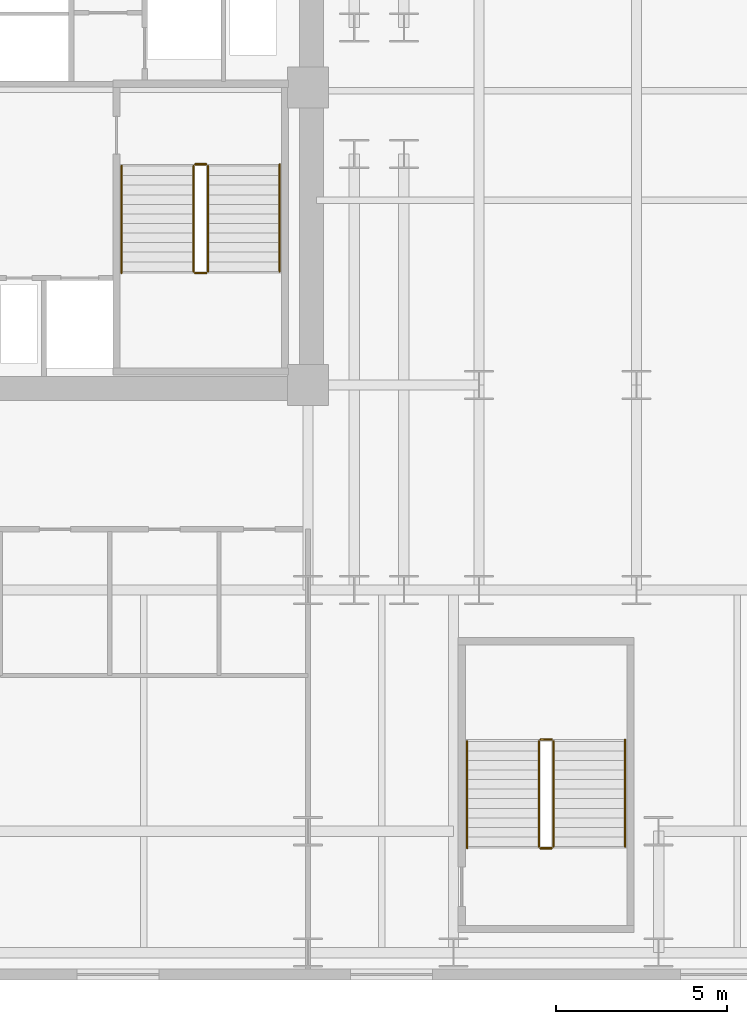
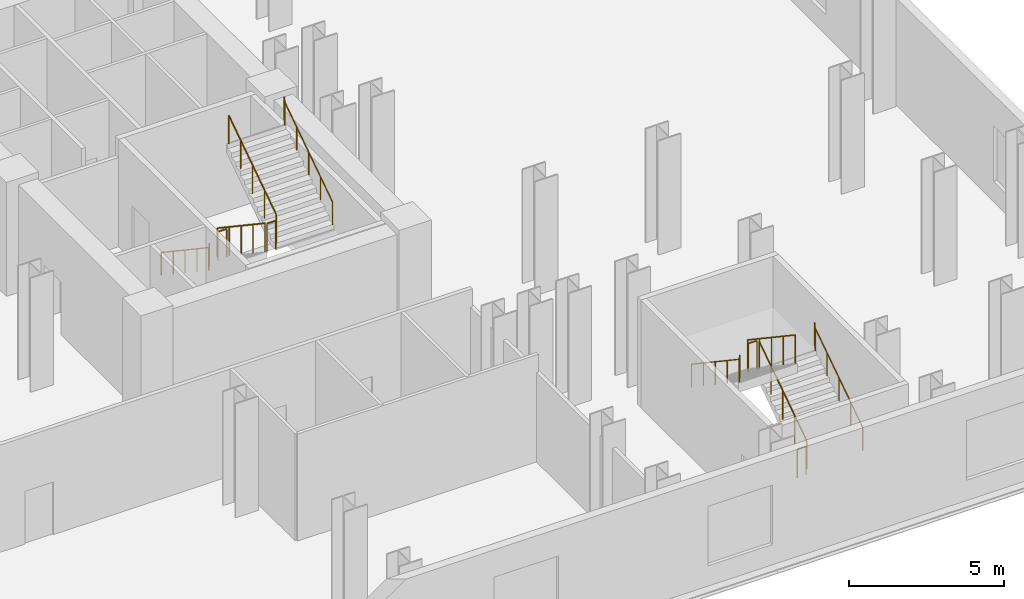
# One storey, part 13 of 13: 12 railings.
"""IFC4 building model written with IfcOpenShell, lengths in metres."""

from ifc_helpers import new_model, si_unit, direction, frame, origin, origin_2d, place, context, subcontext, project, spatial, circle, extrude, material, type_object, element, save


model = new_model("IFC4")

# Units and contexts
model_context = context("Model", 3, precision=1e-05, world=origin(), true_north=direction((0.0, 1.0)))
body_context = subcontext(model_context, "Body", "Model", "MODEL_VIEW")
ifc_project = project(units=[si_unit("LENGTHUNIT", "METRE"), si_unit("AREAUNIT", "SQUARE_METRE"), si_unit("VOLUMEUNIT", "CUBIC_METRE"), si_unit("PLANEANGLEUNIT", "RADIAN"), si_unit("MASSUNIT", "GRAM", prefix="KILO")], contexts=[model_context])

# Site, building, storey
site_placement = place(None, origin())
site = spatial("IfcSite", under=ifc_project, at=site_placement, CompositionType="ELEMENT")
building_placement = place(site_placement, origin())
building = spatial("IfcBuilding", under=site, at=building_placement, Name="Velakula Bourse", CompositionType="ELEMENT")
storey_placement = place(building_placement, frame((0.0, 0.0, 9.60009765625)))
storey = spatial("IfcBuildingStorey", under=building, at=storey_placement, Name="L02", CompositionType="ELEMENT", Elevation=9.60009765625)

# Railings
ifc_material = material(Name="Brushed grade 316 stainless steel", Category="steel")
railing_type_1 = type_object("IfcRailingType", Name="RLG-STAIR-GUARD-1150", PredefinedType="BALUSTRADE", material=ifc_material)
railing_1_placement = place(storey_placement, frame((15.248046875, -2.199951171875, 0.1875)))
element("IfcRailing", 1, at=railing_1_placement, inside=storey, type_object=railing_type_1, Name="L02 ST-E1 stair guard 1", PredefinedType="BALUSTRADE", context=body_context, shape_type="SweptSolid", body=[
    extrude(circle(Radius=0.02490234375, at=origin_2d()), frame((0.0, 0.0, 1.125), z_axis=(0.0, -0.830913701846, 0.55640131208), x_axis=(1.0, 0.0, 0.0)), (0.0, 0.0, 1.0), 3.706787109375),
    extrude(circle(Radius=0.02099609375, at=origin_2d()), origin(), (0.0, 0.0, 1.0), 1.099853515625),
    extrude(circle(Radius=0.02099609375, at=origin_2d()), frame((0.0, -0.77001953125, 0.515625)), (0.0, 0.0, 1.0), 1.099853515625),
    extrude(circle(Radius=0.02099609375, at=origin_2d()), frame((0.0, -1.5400390625, 1.03125)), (0.0, 0.0, 1.0), 1.099853515625),
    extrude(circle(Radius=0.02099609375, at=origin_2d()), frame((0.0, -2.31005859375, 1.546875)), (0.0, 0.0, 1.0), 1.099853515625),
    extrude(circle(Radius=0.02099609375, at=origin_2d()), frame((0.0, -3.080078125, 2.0625)), (0.0, 0.0, 1.0), 1.099853515625),
])
railing_2_placement = place(storey_placement, frame((15.298095703125, -5.330078125, 2.25)))
element("IfcRailing", 2, at=railing_2_placement, inside=storey, type_object=railing_type_1, Name="L02 ST-E1 stair guard 2", PredefinedType="BALUSTRADE", context=body_context, shape_type="SweptSolid", body=[
    extrude(circle(Radius=0.02490234375, at=origin_2d()), frame((0.0, 0.0, 1.125), z_axis=(1.0, 0.0, 0.0), x_axis=(0.0, 1.0, 0.0)), (0.0, 0.0, 1.0), 0.323974609375),
    extrude(circle(Radius=0.02099609375, at=origin_2d()), origin(), (0.0, 0.0, 1.0), 1.099853515625),
    extrude(circle(Radius=0.02099609375, at=origin_2d()), frame((0.323974609375, 0.0, 0.0)), (0.0, 0.0, 1.0), 1.099853515625),
])
railing_3_placement = place(storey_placement, frame((15.672119140625, -5.280029296875, 2.4375)))
element("IfcRailing", 3, at=railing_3_placement, inside=storey, type_object=railing_type_1, Name="L02 ST-E1 stair guard 3", PredefinedType="BALUSTRADE", context=body_context, shape_type="SweptSolid", body=[
    extrude(circle(Radius=0.02490234375, at=origin_2d()), frame((0.0, 0.0, 1.125), z_axis=(0.0, 0.830913701846, 0.55640131208), x_axis=(-1.0, 0.0, 0.0)), (0.0, 0.0, 1.0), 3.706787109375),
    extrude(circle(Radius=0.02099609375, at=origin_2d()), origin(), (0.0, 0.0, 1.0), 1.099853515625),
    extrude(circle(Radius=0.02099609375, at=origin_2d()), frame((0.0, 0.77001953125, 0.515625)), (0.0, 0.0, 1.0), 1.099853515625),
    extrude(circle(Radius=0.02099609375, at=origin_2d()), frame((0.0, 1.5400390625, 1.03125)), (0.0, 0.0, 1.0), 1.099853515625),
    extrude(circle(Radius=0.02099609375, at=origin_2d()), frame((0.0, 2.31005859375, 1.546875)), (0.0, 0.0, 1.0), 1.099853515625),
    extrude(circle(Radius=0.02099609375, at=origin_2d()), frame((0.0, 3.080078125, 2.0625)), (0.0, 0.0, 1.0), 1.099853515625),
])
railing_4_placement = place(storey_placement, frame((15.298095703125, -2.14990234375, 0.0)))
element("IfcRailing", 4, at=railing_4_placement, inside=storey, type_object=railing_type_1, Name="L02 ST-E1 stair guard 4", PredefinedType="BALUSTRADE", context=body_context, shape_type="SweptSolid", body=[
    extrude(circle(Radius=0.02490234375, at=origin_2d()), frame((0.0, 0.0, 1.125), z_axis=(1.0, 0.0, 0.0), x_axis=(0.0, 1.0, 0.0)), (0.0, 0.0, 1.0), 0.323974609375),
    extrude(circle(Radius=0.02099609375, at=origin_2d()), origin(), (0.0, 0.0, 1.0), 1.099853515625),
    extrude(circle(Radius=0.02099609375, at=origin_2d()), frame((0.323974609375, 0.0, 0.0)), (0.0, 0.0, 1.0), 1.099853515625),
])
railing_5_placement = place(storey_placement, frame((25.77197265625, -22.10009765625, 0.1875)))
element("IfcRailing", 5, at=railing_5_placement, inside=storey, type_object=railing_type_1, Name="L02 ST-P2 stair guard 1", PredefinedType="BALUSTRADE", context=body_context, shape_type="SweptSolid", body=[
    extrude(circle(Radius=0.02490234375, at=origin_2d()), frame((0.0, 0.0, 1.125), z_axis=(0.0, 0.830913701846, 0.55640131208), x_axis=(-1.0, 0.0, 0.0)), (0.0, 0.0, 1.0), 3.706787109375),
    extrude(circle(Radius=0.02099609375, at=origin_2d()), origin(), (0.0, 0.0, 1.0), 1.099853515625),
    extrude(circle(Radius=0.02099609375, at=origin_2d()), frame((0.0, 0.77001953125, 0.515625)), (0.0, 0.0, 1.0), 1.099853515625),
    extrude(circle(Radius=0.02099609375, at=origin_2d()), frame((0.0, 1.5400390625, 1.03125)), (0.0, 0.0, 1.0), 1.099853515625),
    extrude(circle(Radius=0.02099609375, at=origin_2d()), frame((0.0, 2.31005859375, 1.546875)), (0.0, 0.0, 1.0), 1.099853515625),
    extrude(circle(Radius=0.02099609375, at=origin_2d()), frame((0.0, 3.080078125, 2.0625)), (0.0, 0.0, 1.0), 1.099853515625),
])
railing_6_placement = place(storey_placement, frame((25.721923828125, -18.969970703125, 2.25)))
element("IfcRailing", 6, at=railing_6_placement, inside=storey, type_object=railing_type_1, Name="L02 ST-P2 stair guard 2", PredefinedType="BALUSTRADE", context=body_context, shape_type="SweptSolid", body=[
    extrude(circle(Radius=0.02490234375, at=origin_2d()), frame((0.0, 0.0, 1.125), z_axis=(-1.0, 0.0, 0.0), x_axis=(0.0, -1.0, 0.0)), (0.0, 0.0, 1.0), 0.323974609375),
    extrude(circle(Radius=0.02099609375, at=origin_2d()), origin(), (0.0, 0.0, 1.0), 1.099853515625),
    extrude(circle(Radius=0.02099609375, at=origin_2d()), frame((-0.323974609375, 0.0, 0.0)), (0.0, 0.0, 1.0), 1.099853515625),
])
railing_7_placement = place(storey_placement, frame((25.347900390625, -19.02001953125, 2.4375)))
element("IfcRailing", 7, at=railing_7_placement, inside=storey, type_object=railing_type_1, Name="L02 ST-P2 stair guard 3", PredefinedType="BALUSTRADE", context=body_context, shape_type="SweptSolid", body=[
    extrude(circle(Radius=0.02490234375, at=origin_2d()), frame((0.0, 0.0, 1.125), z_axis=(0.0, -0.830913701846, 0.55640131208), x_axis=(1.0, 0.0, 0.0)), (0.0, 0.0, 1.0), 3.706787109375),
    extrude(circle(Radius=0.02099609375, at=origin_2d()), origin(), (0.0, 0.0, 1.0), 1.099853515625),
    extrude(circle(Radius=0.02099609375, at=origin_2d()), frame((0.0, -0.77001953125, 0.515625)), (0.0, 0.0, 1.0), 1.099853515625),
    extrude(circle(Radius=0.02099609375, at=origin_2d()), frame((0.0, -1.5400390625, 1.03125)), (0.0, 0.0, 1.0), 1.099853515625),
    extrude(circle(Radius=0.02099609375, at=origin_2d()), frame((0.0, -2.31005859375, 1.546875)), (0.0, 0.0, 1.0), 1.099853515625),
    extrude(circle(Radius=0.02099609375, at=origin_2d()), frame((0.0, -3.080078125, 2.0625)), (0.0, 0.0, 1.0), 1.099853515625),
])
railing_8_placement = place(storey_placement, frame((25.721923828125, -22.14990234375, 0.0)))
element("IfcRailing", 8, at=railing_8_placement, inside=storey, type_object=railing_type_1, Name="L02 ST-P2 stair guard 4", PredefinedType="BALUSTRADE", context=body_context, shape_type="SweptSolid", body=[
    extrude(circle(Radius=0.02490234375, at=origin_2d()), frame((0.0, 0.0, 1.125), z_axis=(-1.0, 0.0, 0.0), x_axis=(0.0, -1.0, 0.0)), (0.0, 0.0, 1.0), 0.323974609375),
    extrude(circle(Radius=0.02099609375, at=origin_2d()), origin(), (0.0, 0.0, 1.0), 1.099853515625),
    extrude(circle(Radius=0.02099609375, at=origin_2d()), frame((-0.323974609375, 0.0, 0.0)), (0.0, 0.0, 1.0), 1.099853515625),
])
railing_type_2 = type_object("IfcRailingType", Name="RLG-STAIR-HAND-920", PredefinedType="HANDRAIL", material=ifc_material)
railing_9_placement = place(storey_placement, frame((13.14990234375, -2.199951171875, 0.1875)))
element("IfcRailing", 9, at=railing_9_placement, inside=storey, type_object=railing_type_2, Name="L02 ST-E1 stair handrail 1", PredefinedType="HANDRAIL", context=body_context, shape_type="SweptSolid", body=[
    extrude(circle(Radius=0.02099609375, at=origin_2d()), frame((0.0, 0.0, 0.89892578125), z_axis=(0.0, -0.830913701846, 0.55640131208), x_axis=(1.0, 0.0, 0.0)), (0.0, 0.0, 1.0), 3.706787109375),
    extrude(circle(Radius=0.02099609375, at=origin_2d()), frame((0.0, -3.080078125, 2.96142578125), z_axis=(0.0, -0.208833338674, 0.97795124452), x_axis=(1.0, 0.0, 0.0)), (0.0, 0.0, 1.0), 0.191650390625),
    extrude(circle(Radius=0.02099609375, at=origin_2d()), frame((0.0, -3.1201171875, 3.14892578125), z_axis=(0.0, -1.0, 0.0), x_axis=(1.0, 0.0, 0.0)), (0.0, 0.0, 1.0), 0.0048828125),
    extrude(circle(Radius=0.02099609375, at=origin_2d()), origin(), (0.0, 0.0, 1.0), 0.8779296875),
    extrude(circle(Radius=0.02099609375, at=origin_2d()), frame((0.0, -0.77001953125, 0.515625)), (0.0, 0.0, 1.0), 0.8779296875),
    extrude(circle(Radius=0.02099609375, at=origin_2d()), frame((0.0, -1.5400390625, 1.03125)), (0.0, 0.0, 1.0), 0.8779296875),
    extrude(circle(Radius=0.02099609375, at=origin_2d()), frame((0.0, -2.31005859375, 1.546875)), (0.0, 0.0, 1.0), 0.8779296875),
    extrude(circle(Radius=0.02099609375, at=origin_2d()), frame((0.0, -3.080078125, 2.0625)), (0.0, 0.0, 1.0), 0.8779296875),
    extrude(circle(Radius=0.02099609375, at=origin_2d()), frame((0.0, -3.1201171875, 2.25)), (0.0, 0.0, 1.0), 0.8779296875),
    extrude(circle(Radius=0.02099609375, at=origin_2d()), frame((0.0, -3.125, 2.25)), (0.0, 0.0, 1.0), 0.8779296875),
])
for number, where, name in (
    (10, (17.77001953125, -5.280029296875, 2.4375), "L02 ST-E1 stair handrail 2"),
    (11, (27.8701171875, -22.10009765625, 0.1875), "L02 ST-P2 stair handrail 1"),
):
    element("IfcRailing", number, at=place(storey_placement, frame(where)), inside=storey, type_object=railing_type_2, Name=name, PredefinedType="HANDRAIL", context=body_context, shape_type="SweptSolid", body=[
        extrude(circle(Radius=0.02099609375, at=origin_2d()), frame((0.0, 0.0, 0.89892578125), z_axis=(0.0, 0.830913701846, 0.55640131208), x_axis=(-1.0, 0.0, 0.0)), (0.0, 0.0, 1.0), 3.706787109375),
        extrude(circle(Radius=0.02099609375, at=origin_2d()), frame((0.0, 3.080078125, 2.96142578125), z_axis=(0.0, 0.208833338674, 0.97795124452), x_axis=(-1.0, 0.0, 0.0)), (0.0, 0.0, 1.0), 0.191650390625),
        extrude(circle(Radius=0.02099609375, at=origin_2d()), frame((0.0, 3.1201171875, 3.14892578125), z_axis=(0.0, 1.0, 0.0), x_axis=(-1.0, 0.0, 0.0)), (0.0, 0.0, 1.0), 0.0048828125),
        extrude(circle(Radius=0.02099609375, at=origin_2d()), origin(), (0.0, 0.0, 1.0), 0.8779296875),
        extrude(circle(Radius=0.02099609375, at=origin_2d()), frame((0.0, 0.77001953125, 0.515625)), (0.0, 0.0, 1.0), 0.8779296875),
        extrude(circle(Radius=0.02099609375, at=origin_2d()), frame((0.0, 1.5400390625, 1.03125)), (0.0, 0.0, 1.0), 0.8779296875),
        extrude(circle(Radius=0.02099609375, at=origin_2d()), frame((0.0, 2.31005859375, 1.546875)), (0.0, 0.0, 1.0), 0.8779296875),
        extrude(circle(Radius=0.02099609375, at=origin_2d()), frame((0.0, 3.080078125, 2.0625)), (0.0, 0.0, 1.0), 0.8779296875),
        extrude(circle(Radius=0.02099609375, at=origin_2d()), frame((0.0, 3.1201171875, 2.25)), (0.0, 0.0, 1.0), 0.8779296875),
        extrude(circle(Radius=0.02099609375, at=origin_2d()), frame((0.0, 3.125, 2.25)), (0.0, 0.0, 1.0), 0.8779296875),
    ])
railing_10_placement = place(storey_placement, frame((23.25, -19.02001953125, 2.4375)))
element("IfcRailing", 12, at=railing_10_placement, inside=storey, type_object=railing_type_2, Name="L02 ST-P2 stair handrail 2", PredefinedType="HANDRAIL", context=body_context, shape_type="SweptSolid", body=[
    extrude(circle(Radius=0.02099609375, at=origin_2d()), frame((0.0, 0.0, 0.89892578125), z_axis=(0.0, -0.830913701846, 0.55640131208), x_axis=(1.0, 0.0, 0.0)), (0.0, 0.0, 1.0), 3.706787109375),
    extrude(circle(Radius=0.02099609375, at=origin_2d()), frame((0.0, -3.080078125, 2.96142578125), z_axis=(0.0, -0.20761501323, 0.97821061448), x_axis=(1.0, 0.0, 0.0)), (0.0, 0.0, 1.0), 0.191650390625),
    extrude(circle(Radius=0.02099609375, at=origin_2d()), frame((0.0, -3.119873046875, 3.14892578125), z_axis=(0.0, -1.0, 0.0), x_axis=(1.0, 0.0, 0.0)), (0.0, 0.0, 1.0), 0.005126953125),
    extrude(circle(Radius=0.02099609375, at=origin_2d()), origin(), (0.0, 0.0, 1.0), 0.8779296875),
    extrude(circle(Radius=0.02099609375, at=origin_2d()), frame((0.0, -0.77001953125, 0.515625)), (0.0, 0.0, 1.0), 0.8779296875),
    extrude(circle(Radius=0.02099609375, at=origin_2d()), frame((0.0, -1.5400390625, 1.03125)), (0.0, 0.0, 1.0), 0.8779296875),
    extrude(circle(Radius=0.02099609375, at=origin_2d()), frame((0.0, -2.31005859375, 1.546875)), (0.0, 0.0, 1.0), 0.8779296875),
    extrude(circle(Radius=0.02099609375, at=origin_2d()), frame((0.0, -3.080078125, 2.0625)), (0.0, 0.0, 1.0), 0.8779296875),
    extrude(circle(Radius=0.02099609375, at=origin_2d()), frame((0.0, -3.119873046875, 2.25)), (0.0, 0.0, 1.0), 0.8779296875),
    extrude(circle(Radius=0.02099609375, at=origin_2d()), frame((0.0, -3.125, 2.25)), (0.0, 0.0, 1.0), 0.8779296875),
])

save(model, "model.ifc")
